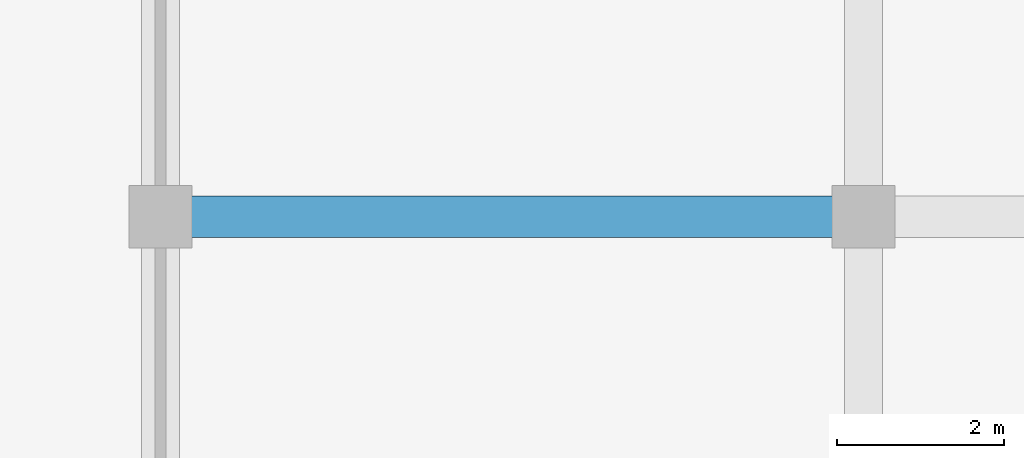
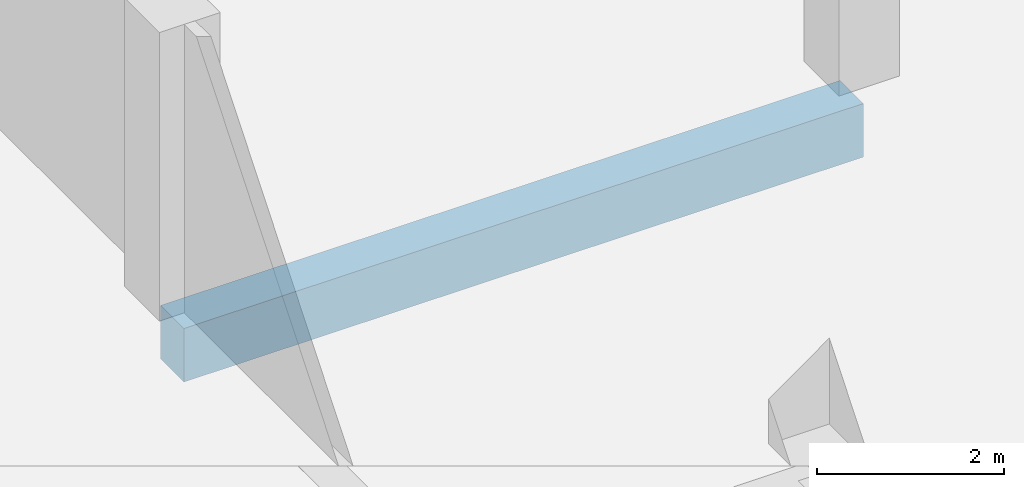
# One storey, part 34 of 101: 1 beam.
"""IFC4 building model written with IfcOpenShell, lengths in metres."""

from ifc_helpers import new_model, si_unit, direction, frame, origin, origin_2d, place, context, subcontext, project, spatial, rectangle, extrude, material, material_profile, profile_set, type_object, element, save


model = new_model("IFC4")

# Units and contexts
model_context = context("Model", 3, precision=1e-05, world=origin(), true_north=direction((0.0, 1.0)))
body_context = subcontext(model_context, "Body", "Model", "MODEL_VIEW")
ifc_project = project(units=[si_unit("LENGTHUNIT", "METRE"), si_unit("AREAUNIT", "SQUARE_METRE"), si_unit("VOLUMEUNIT", "CUBIC_METRE"), si_unit("PLANEANGLEUNIT", "RADIAN"), si_unit("MASSUNIT", "GRAM", prefix="KILO")], contexts=[model_context])

# Site, building, storey
site_placement = place(None, origin())
site = spatial("IfcSite", under=ifc_project, at=site_placement, CompositionType="ELEMENT")
building_placement = place(site_placement, origin())
building = spatial("IfcBuilding", under=site, at=building_placement, Name="Selatvlak General Hospital", CompositionType="ELEMENT")
storey_placement = place(building_placement, frame((0.0, 0.0, 19.199951171875)))
storey = spatial("IfcBuildingStorey", under=building, at=storey_placement, Name="L04", CompositionType="ELEMENT", Elevation=19.199951171875)

# Beam
ifc_material = material(Name="Concrete C40/50", Category="concrete")
ifc_material_profile = material_profile(ifc_material, rectangle(XDim=0.5, YDim=0.699951171875, at=origin_2d()), Name="RC-BM 500x700")
ifc_profile_set = profile_set([ifc_material_profile], Name="Concrete C40/50")
beam_type = type_object("IfcBeamType", Name="BM-G03", PredefinedType="BEAM", material=ifc_profile_set)
beam_placement = place(storey_placement, frame((22.800048828125, 114.0, -0.655029296875), z_axis=(1.0, 0.0, 0.0), x_axis=(0.0, 1.0, 0.0)))
element("IfcBeam", 1, at=beam_placement, inside=storey, type_object=beam_type, Name="Beam BMR-L04-1614", PredefinedType="BEAM", context=body_context, shape_type="SweptSolid", body=[
    extrude(rectangle(XDim=0.5, YDim=0.699951171875, at=origin_2d()), origin(), (0.0, 0.0, 1.0), 8.39990234375),
])

save(model, "model.ifc")
